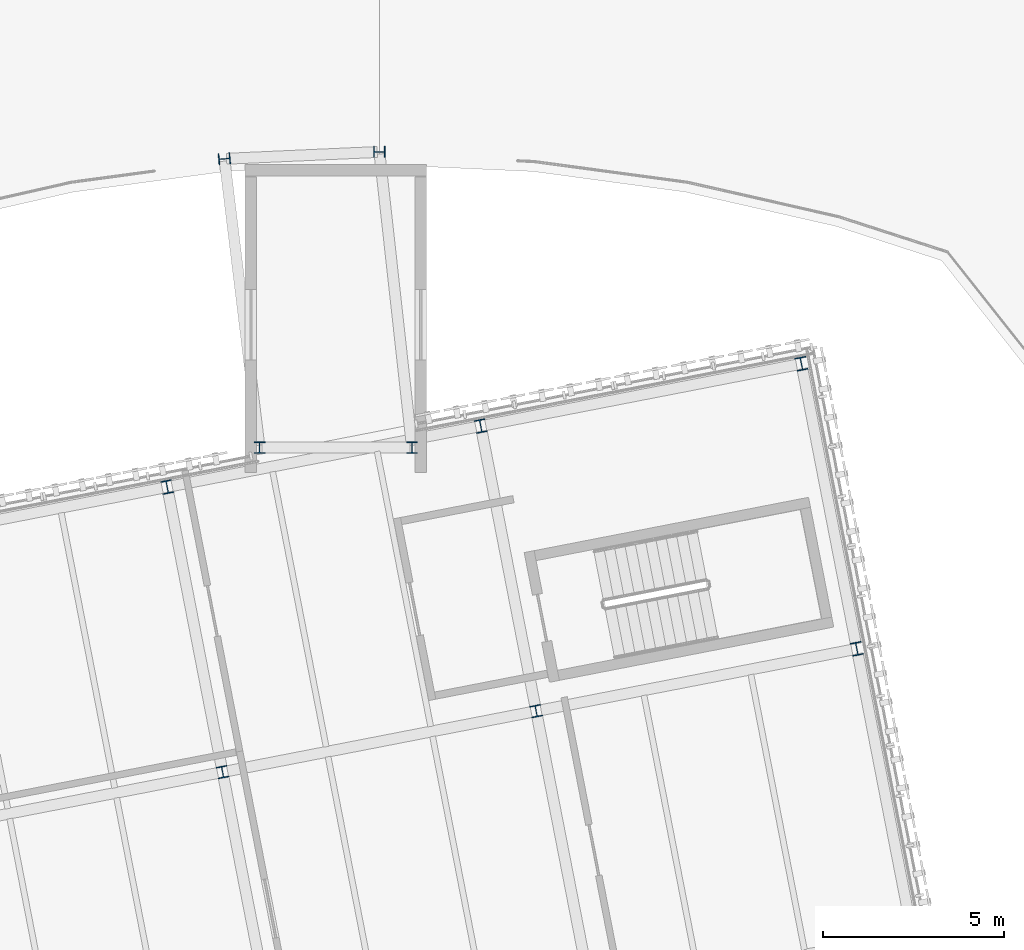
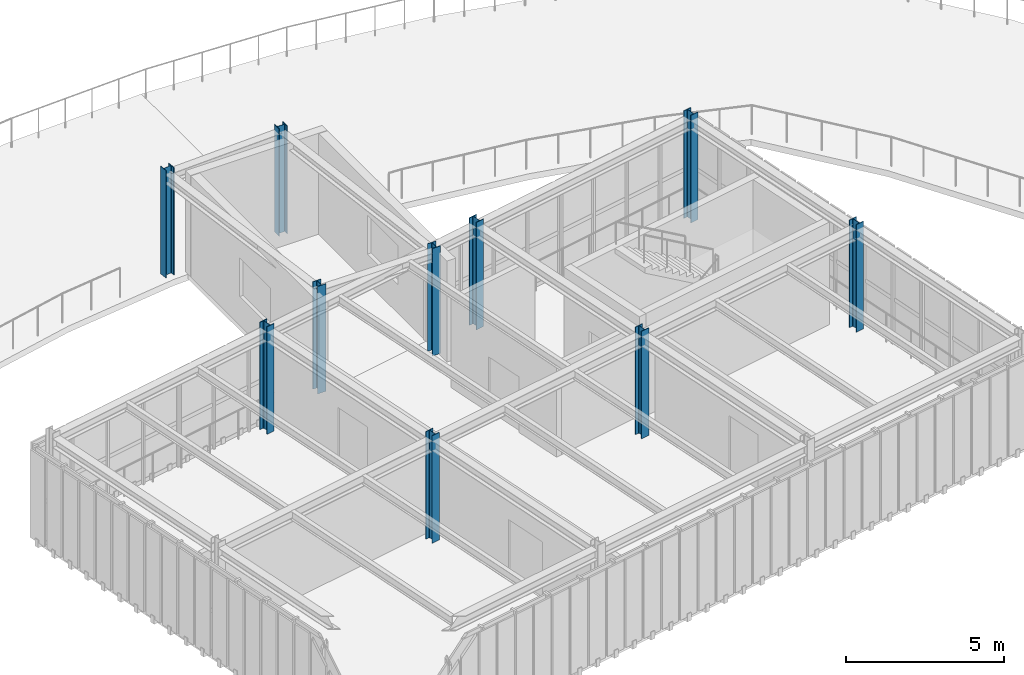
# One storey, part 10 of 59: 10 columns.
"""IFC4 building model written with IfcOpenShell, lengths in metres."""

from ifc_helpers import new_model, si_unit, direction, frame, origin, origin_2d, place, context, subcontext, project, spatial, i_section, extrude, material, material_profile, profile_set, type_object, element, save


model = new_model("IFC4")

# Units and contexts
model_context = context("Model", 3, precision=1e-05, world=origin(), true_north=direction((0.0, 1.0)))
body_context = subcontext(model_context, "Body", "Model", "MODEL_VIEW")
ifc_project = project(units=[si_unit("LENGTHUNIT", "METRE"), si_unit("AREAUNIT", "SQUARE_METRE"), si_unit("VOLUMEUNIT", "CUBIC_METRE"), si_unit("PLANEANGLEUNIT", "RADIAN"), si_unit("MASSUNIT", "GRAM", prefix="KILO")], contexts=[model_context])

# Site, building, storey
site_placement = place(None, origin())
site = spatial("IfcSite", under=ifc_project, at=site_placement, CompositionType="ELEMENT")
building_placement = place(site_placement, origin())
building = spatial("IfcBuilding", under=site, at=building_placement, Name="Varnklinge Art Gallery", CompositionType="ELEMENT")
storey_placement = place(building_placement, frame((0.0, 0.0, 9.52001953125)))
storey = spatial("IfcBuildingStorey", under=building, at=storey_placement, Name="L02", CompositionType="ELEMENT", Elevation=9.52001953125)

# Columns
ifc_material_1 = material(Name="Steel S355", Category="steel")
ifc_material_profile_1 = material_profile(ifc_material_1, i_section(OverallWidth=0.300048828125, OverallDepth=0.320068359375, WebThickness=0.011474609375, FlangeThickness=0.0205078125, FilletRadius=0.027099609375, at=origin_2d()), Name="HEB 320")
ifc_profile_set_1 = profile_set([ifc_material_profile_1], Name="Steel S355")
column_type_1 = type_object("IfcColumnType", Name="COL-09", PredefinedType="COLUMN", material=ifc_profile_set_1)
for number, where, z_axis, x_axis, name in (
    (1, (75.5, 88.745361328125, 0.0), (0.0, 0.0, 1.0), (0.0, -1.0, 0.0), "L02 Column V2CI-17"),
    (2, (71.230712890625, 88.55419921875, 0.0), (0.0, 0.0, 1.0), (0.089415810539, -0.995994383933, 0.0), "L02 Column V2CI-18"),
    (3, (71.180908203125, 71.660400390625, 0.0), (0.0, 0.0, 1.0), (0.981627183448, 0.190808995377, 0.0), "L02 Column V4BC-2-2"),
    (4, (79.819091796875, 73.339599609375, 0.0), (0.0, 0.0, 1.0), (0.981627183448, 0.190808995377, 0.0), "L02 Column V4BC-3-2"),
    (5, (72.199951171875, 80.60009765625, 0.0), (0.0, 0.0, 1.0), (1.0, 0.0, 0.0), "L02 Column LNK-V4N-C1"),
    (6, (76.39990234375, 80.60009765625, 0.0), (0.0, 0.0, 1.0), (1.0, 0.0, 0.0), "L02 Column LNK-V4N-C2"),
):
    element("IfcColumn", number, at=place(storey_placement, frame(where, z_axis=z_axis, x_axis=x_axis)), inside=storey, type_object=column_type_1, Name=name, PredefinedType="COLUMN", context=body_context, shape_type="SweptSolid", body=[
        extrude(i_section(OverallWidth=0.300048828125, OverallDepth=0.320068359375, WebThickness=0.011474609375, FlangeThickness=0.0205078125, FilletRadius=0.027099609375, at=origin_2d()), origin(), (0.0, 0.0, 1.0), 4.159912109375),
    ])
ifc_material_2 = material(Name="Steel S355", Category="steel")
ifc_material_profile_2 = material_profile(ifc_material_2, i_section(OverallWidth=0.300048828125, OverallDepth=0.360107421875, WebThickness=0.012451171875, FlangeThickness=0.0224609375, FilletRadius=0.027099609375, at=origin_2d()), Name="HEB 360")
ifc_profile_set_2 = profile_set([ifc_material_profile_2], Name="Steel S355")
column_type_2 = type_object("IfcColumnType", Name="COL-E4", PredefinedType="COLUMN", material=ifc_profile_set_2)
for number, where, z_axis, x_axis, name in (
    (7, (69.654296875, 79.513427734375, 0.0), (0.0, 0.0, 1.0), (0.981627183448, 0.190808995377, 0.0), "L02 Column V4BC-2-3"),
    (8, (78.292724609375, 81.192626953125, 0.0), (0.0, 0.0, 1.0), (0.981627183448, 0.190808995377, 0.0), "L02 Column V4BC-3-3"),
    (9, (88.65380859375, 75.056884765625, 0.0), (0.0, 0.0, 1.0), (0.981627183448, 0.190808995377, 0.0), "L02 Column V4BC-4-2"),
    (10, (87.127197265625, 82.909912109375, 0.0), (0.0, 0.0, 1.0), (0.981627183448, 0.190808995377, 0.0), "L02 Column V4BC-4-3"),
):
    element("IfcColumn", number, at=place(storey_placement, frame(where, z_axis=z_axis, x_axis=x_axis)), inside=storey, type_object=column_type_2, Name=name, PredefinedType="COLUMN", context=body_context, shape_type="SweptSolid", body=[
        extrude(i_section(OverallWidth=0.300048828125, OverallDepth=0.360107421875, WebThickness=0.012451171875, FlangeThickness=0.0224609375, FilletRadius=0.027099609375, at=origin_2d()), origin(), (0.0, 0.0, 1.0), 4.159912109375),
    ])

save(model, "model.ifc")
